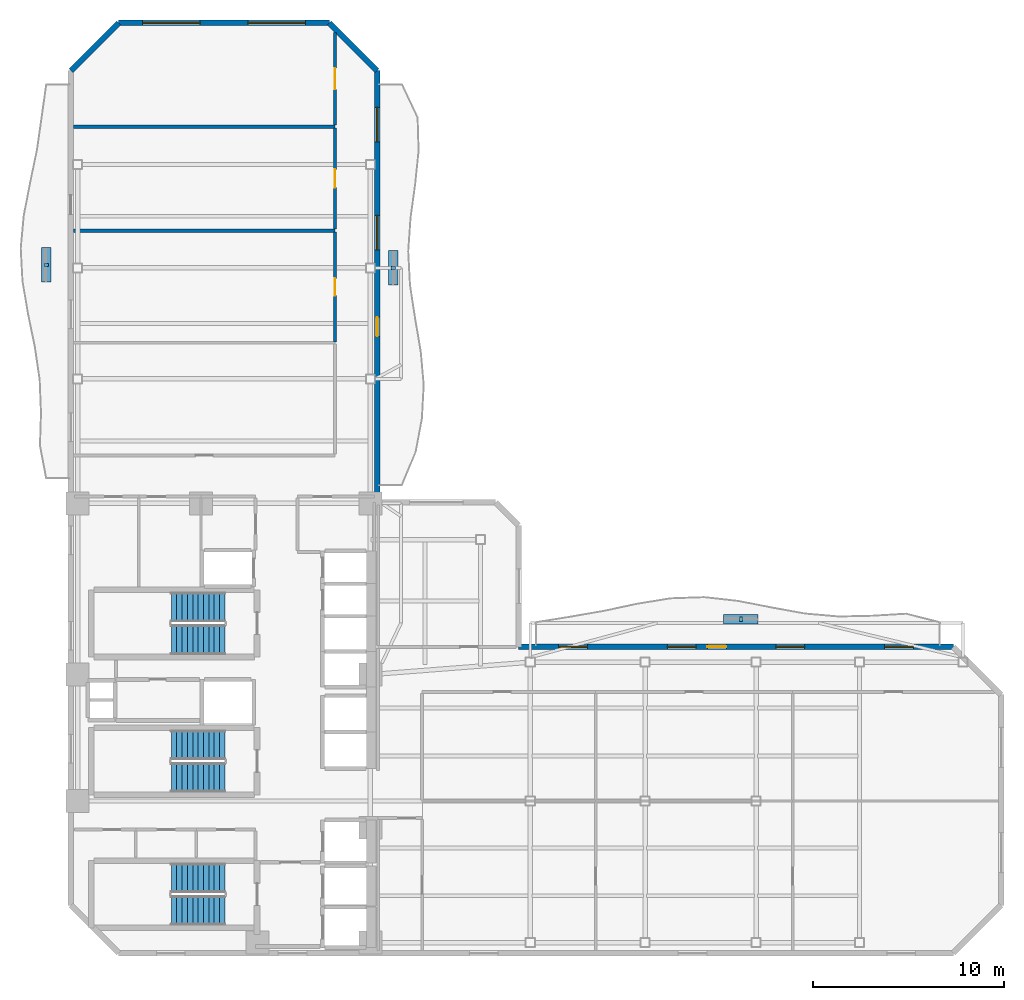
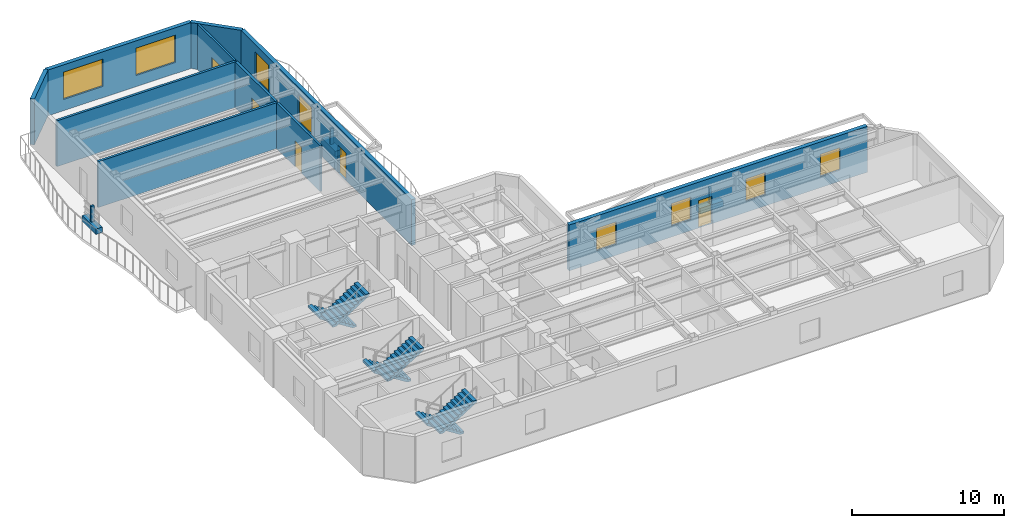
# One storey, part 6 of 9: 10 walls, 8 windows, 6 discrete accessories, 6 stair flights, 5 doors, 13 openings, 3 elements without a shape of their own.
"""IFC4 building model written with IfcOpenShell, lengths in metres."""

from ifc_helpers import new_model, si_unit, direction, frame, frame_2d, origin, origin_2d, place, context, subcontext, project, spatial, polyline, rectangle, outline, extrude, material, layer, layer_set, type_object, element, fill, aggregate, save


model = new_model("IFC4")

# Units and contexts
model_context = context("Model", 3, precision=1e-05, world=origin(), true_north=direction((0.0, 1.0)))
body_context = subcontext(model_context, "Body", "Model", "MODEL_VIEW")
ifc_project = project(units=[si_unit("LENGTHUNIT", "METRE"), si_unit("AREAUNIT", "SQUARE_METRE"), si_unit("VOLUMEUNIT", "CUBIC_METRE"), si_unit("PLANEANGLEUNIT", "RADIAN"), si_unit("MASSUNIT", "GRAM", prefix="KILO")], contexts=[model_context])

# Site, building, storey
site_placement = place(None, origin())
site = spatial("IfcSite", under=ifc_project, at=site_placement, CompositionType="ELEMENT")
building_placement = place(site_placement, origin())
building = spatial("IfcBuilding", under=site, at=building_placement, Name="Mawjaban Terraces University", CompositionType="ELEMENT")
storey_placement = place(building_placement, frame((0.0, 0.0, 154.10009765625)))
storey = spatial("IfcBuildingStorey", under=building, at=storey_placement, Name="L37", CompositionType="ELEMENT", Elevation=154.10009765625)

# Walls
ifc_material_1 = material(Name="Acoustic masonry blockwork", Category="masonry")
ifc_layer_1 = layer(ifc_material_1, 0.179931640625)
ifc_layer_set_1 = layer_set([ifc_layer_1], Name="Acoustic masonry blockwork")
wall_type_1 = type_object("IfcWallType", Name="AcousticStudioWall_180", PredefinedType="PARTITIONING", material=ifc_layer_set_1)
for number, where, z_axis, x_axis, name in (
    (1, (35.800048828125, 37.75, 0.0), (0.0, 0.0, 1.0), (-1.0, 0.0, 0.0), "L37 Quiet Reading Room 9 Partition 14"),
    (2, (35.800048828125, 43.179931640625, 0.0), (0.0, 0.0, 1.0), (-1.0, 0.0, 0.0), "L37 Media Workshop 10 Partition 15"),
):
    element("IfcWall", number, at=place(storey_placement, frame(where, z_axis=z_axis, x_axis=x_axis)), inside=storey, type_object=wall_type_1, Name=name, PredefinedType="PARTITIONING", context=body_context, shape_type="SweptSolid", body=[
        extrude(rectangle(XDim=13.655029296875, YDim=0.179931640625, at=frame_2d((6.82763671875, 0.0))), origin(), (0.0, 0.0, 1.0), 3.68994140625),
    ])

# Wall, opening, door
wall_1_placement = place(storey_placement, frame((35.800048828125, 43.094970703125, 0.0), z_axis=(0.0, 0.0, 1.0), x_axis=(0.0, -1.0, 0.0)))
wall_1 = element("IfcWall", 3, at=wall_1_placement, inside=storey, type_object=wall_type_1, Name="L37 Inner Terrace Gallery Corridor North Partition 36", PredefinedType="PARTITIONING", context=body_context, shape_type="SweptSolid", body=[
    extrude(rectangle(XDim=5.260009765625, YDim=0.179931640625, at=frame_2d((2.6298828125, 0.0))), origin(), (0.0, 0.0, 1.0), 3.68994140625),
])
opening_1_placement = place(wall_1_placement, frame((2.155029296875, 0.0, 0.0)))
opening_1 = element("IfcOpeningElement", 4, at=opening_1_placement, cuts=wall_1, Name="Opening ID-095", PredefinedType="OPENING", context=body_context, shape_type="SweptSolid", body=[
    extrude(rectangle(XDim=0.949951171875, YDim=2.10009765625, at=frame_2d((0.47509765625, 1.050048828125))), frame((0.0, 0.099853515625, 0.0), z_axis=(0.0, -1.0, 0.0), x_axis=(1.0, 0.0, 0.0)), (0.0, 0.0, 1.0), 0.199951171875),
])
ifc_material_2 = material(Name="Powder-coated steel frame and solid acoustic timber leaf", Category="steel")
door_type_1 = type_object("IfcDoorType", Name="StudioDoor_950x2100", OperationType="NOTDEFINED", PredefinedType="DOOR", material=ifc_material_2)
door_1_placement = place(opening_1_placement, origin())
door_1 = element("IfcDoor", 5, at=door_1_placement, inside=storey, type_object=door_type_1, Name="L37 Media Workshop 10 Door", OperationType="SINGLE_SWING_RIGHT", OverallHeight=2.10009765625, OverallWidth=0.949951171875, PredefinedType="DOOR", context=body_context, shape_type="SweptSolid", body=[
    extrude(rectangle(XDim=0.949951171875, YDim=2.10009765625, at=frame_2d((0.47509765625, 1.050048828125))), frame((0.0, 0.02490234375, 0.0), z_axis=(0.0, -1.0, 0.0), x_axis=(1.0, 0.0, 0.0)), (0.0, 0.0, 1.0), 0.050048828125),
])
fill(opening_1, door_1)

ifc_material_3 = material(Name="Fire-rated gypsum board on steel stud", Category="steel")
ifc_layer_2 = layer(ifc_material_3, 0.159912109375)
ifc_layer_set_2 = layer_set([ifc_layer_2], Name="Fire-rated gypsum board on steel stud")
wall_type_2 = type_object("IfcWallType", Name="CorridorPartition_160", PredefinedType="PARTITIONING", material=ifc_layer_set_2)
wall_2_placement = place(storey_placement, frame((35.800048828125, 37.6650390625, 0.0), z_axis=(0.0, 0.0, 1.0), x_axis=(0.0, -1.0, 0.0)))
wall_2 = element("IfcWall", 6, at=wall_2_placement, inside=storey, type_object=wall_type_2, Name="L37 Inner Terrace Gallery Corridor North Partition 35", PredefinedType="PARTITIONING", context=body_context, shape_type="SweptSolid", body=[
    extrude(rectangle(XDim=5.72705078125, YDim=0.159912109375, at=frame_2d((2.863525390625, 0.0))), origin(), (0.0, 0.0, 1.0), 3.68994140625),
])
opening_2_placement = place(wall_2_placement, frame((2.4130859375, 0.0, 0.0)))
opening_2 = element("IfcOpeningElement", 7, at=opening_2_placement, cuts=wall_2, Name="Opening ID-090", PredefinedType="OPENING", context=body_context, shape_type="SweptSolid", body=[
    extrude(rectangle(XDim=0.89990234375, YDim=2.10009765625, at=frame_2d((0.449951171875, 1.050048828125))), frame((0.0, 0.08984375, 0.0), z_axis=(0.0, -1.0, 0.0), x_axis=(1.0, 0.0, 0.0)), (0.0, 0.0, 1.0), 0.179931640625),
])
door_type_2 = type_object("IfcDoorType", Name="OfficeDoor_900x2100", OperationType="NOTDEFINED", PredefinedType="DOOR", material=ifc_material_2)
door_2_placement = place(opening_2_placement, origin())
door_2 = element("IfcDoor", 8, at=door_2_placement, inside=storey, type_object=door_type_2, Name="L37 Quiet Reading Room 9 Door", OperationType="SINGLE_SWING_LEFT", OverallHeight=2.10009765625, OverallWidth=0.89990234375, PredefinedType="DOOR", context=body_context, shape_type="SweptSolid", body=[
    extrude(rectangle(XDim=0.89990234375, YDim=2.10009765625, at=frame_2d((0.449951171875, 1.050048828125))), frame((0.0, 0.02490234375, 0.0), z_axis=(0.0, -1.0, 0.0), x_axis=(1.0, 0.0, 0.0)), (0.0, 0.0, 1.0), 0.050048828125),
])
fill(opening_2, door_2)

# Wall, openings, door, windows
ifc_material_4 = material(Name="Insulated terracotta rainscreen on concrete backup C40/50", Category="masonry")
ifc_layer_3 = layer(ifc_material_4, 0.300048828125)
ifc_layer_set_3 = layer_set([ifc_layer_3], Name="Insulated terracotta rainscreen on concrete backup C40/50")
wall_type_3 = type_object("IfcWallType", Name="ExtTerracottaWall_300", PredefinedType="SOLIDWALL", material=ifc_layer_set_3)
wall_3_placement = place(storey_placement, frame((68.10009765625, 16.0, 0.0), z_axis=(0.0, 0.0, 1.0), x_axis=(-1.0, 0.0, 0.0)))
wall_3 = element("IfcWall", 9, at=wall_3_placement, inside=storey, type_object=wall_type_3, Name="L37 Exterior Terracotta Wall 5", PredefinedType="SOLIDWALL", context=body_context, shape_type="SweptSolid", body=[
    extrude(rectangle(XDim=22.7060546875, YDim=0.300048828125, at=frame_2d((11.35302734375, 0.0))), origin(), (0.0, 0.0, 1.0), 3.68994140625),
])
opening_3_placement = place(wall_3_placement, frame((11.85302734375, 0.0, 0.0)))
opening_3 = element("IfcOpeningElement", 10, at=opening_3_placement, cuts=wall_3, Name="Opening BD-100", PredefinedType="OPENING", context=body_context, shape_type="SweptSolid", body=[
    extrude(rectangle(XDim=1.0, YDim=2.199951171875, at=frame_2d((0.5, 1.10009765625))), frame((0.0, 0.159912109375, 0.0), z_axis=(0.0, -1.0, 0.0), x_axis=(1.0, 0.0, 0.0)), (0.0, 0.0, 1.0), 0.320068359375),
])
opening_4_placement = place(wall_3_placement, frame((2.087890625, 0.0, 0.89990234375)))
opening_4 = element("IfcOpeningElement", 11, at=opening_4_placement, cuts=wall_3, Name="Opening W-06", PredefinedType="OPENING", context=body_context, shape_type="SweptSolid", body=[
    extrude(rectangle(XDim=1.5, YDim=1.800048828125, at=frame_2d((0.75, 0.89990234375))), frame((0.0, 0.159912109375, 0.0), z_axis=(0.0, -1.0, 0.0), x_axis=(1.0, 0.0, 0.0)), (0.0, 0.0, 1.0), 0.320068359375),
])
opening_5_placement = place(wall_3_placement, frame((7.764892578125, 0.0, 0.89990234375)))
opening_5 = element("IfcOpeningElement", 12, at=opening_5_placement, cuts=wall_3, Name="Opening W-06", PredefinedType="OPENING", context=body_context, shape_type="SweptSolid", body=[
    extrude(rectangle(XDim=1.5, YDim=1.800048828125, at=frame_2d((0.75, 0.89990234375))), frame((0.0, 0.159912109375, 0.0), z_axis=(0.0, -1.0, 0.0), x_axis=(1.0, 0.0, 0.0)), (0.0, 0.0, 1.0), 0.320068359375),
])
opening_6_placement = place(wall_3_placement, frame((13.44091796875, 0.0, 0.89990234375)))
opening_6 = element("IfcOpeningElement", 13, at=opening_6_placement, cuts=wall_3, Name="Opening W-06", PredefinedType="OPENING", context=body_context, shape_type="SweptSolid", body=[
    extrude(rectangle(XDim=1.5, YDim=1.800048828125, at=frame_2d((0.75, 0.89990234375))), frame((0.0, 0.159912109375, 0.0), z_axis=(0.0, -1.0, 0.0), x_axis=(1.0, 0.0, 0.0)), (0.0, 0.0, 1.0), 0.320068359375),
])
opening_7_placement = place(wall_3_placement, frame((19.117919921875, 0.0, 0.89990234375)))
opening_7 = element("IfcOpeningElement", 14, at=opening_7_placement, cuts=wall_3, Name="Opening W-06", PredefinedType="OPENING", context=body_context, shape_type="SweptSolid", body=[
    extrude(rectangle(XDim=1.5, YDim=1.800048828125, at=frame_2d((0.75, 0.89990234375))), frame((0.0, 0.159912109375, 0.0), z_axis=(0.0, -1.0, 0.0), x_axis=(1.0, 0.0, 0.0)), (0.0, 0.0, 1.0), 0.320068359375),
])
ifc_material_5 = material(Name="Thermally broken anodised aluminium and laminated safety glass", Category="aluminium")
door_type_3 = type_object("IfcDoorType", Name="BalconyGlazedDoor_1000x2200", OperationType="NOTDEFINED", PredefinedType="DOOR", material=ifc_material_5)
door_3_placement = place(opening_3_placement, origin())
door_3 = element("IfcDoor", 15, at=door_3_placement, inside=storey, type_object=door_type_3, Name="L37 Balcony Access Door inner_north", OperationType="SINGLE_SWING_RIGHT", OverallHeight=2.199951171875, OverallWidth=1.0, PredefinedType="DOOR", context=body_context, shape_type="SweptSolid", body=[
    extrude(rectangle(XDim=1.0, YDim=2.199951171875, at=frame_2d((0.5, 1.10009765625))), frame((0.0, 0.02490234375, 0.0), z_axis=(0.0, -1.0, 0.0), x_axis=(1.0, 0.0, 0.0)), (0.0, 0.0, 1.0), 0.050048828125),
])
fill(opening_3, door_3)
ifc_material_6 = material(Name="Low-E solar-control double glazing in thermally broken aluminium frame", Category="aluminium")
window_type_1 = type_object("IfcWindowType", Name="Win_1500x1800", PartitioningType="SINGLE_PANEL", PredefinedType="WINDOW", material=ifc_material_6)
window_1_placement = place(opening_4_placement, origin())
window_1 = element("IfcWindow", 16, at=window_1_placement, inside=storey, type_object=window_type_1, Name="L37 Facade Window 5.1", OverallHeight=1.800048828125, OverallWidth=1.5, PartitioningType="SINGLE_PANEL", PredefinedType="WINDOW", context=body_context, shape_type="SweptSolid", body=[
    extrude(rectangle(XDim=1.5, YDim=1.800048828125, at=frame_2d((0.75, 0.89990234375))), frame((0.0, 0.030029296875, 0.0), z_axis=(0.0, -1.0, 0.0), x_axis=(1.0, 0.0, 0.0)), (0.0, 0.0, 1.0), 0.06005859375),
])
fill(opening_4, window_1)
window_2_placement = place(opening_5_placement, origin())
window_2 = element("IfcWindow", 17, at=window_2_placement, inside=storey, type_object=window_type_1, Name="L37 Facade Window 5.2", OverallHeight=1.800048828125, OverallWidth=1.5, PartitioningType="SINGLE_PANEL", PredefinedType="WINDOW", context=body_context, shape_type="SweptSolid", body=[
    extrude(rectangle(XDim=1.5, YDim=1.800048828125, at=frame_2d((0.75, 0.89990234375))), frame((0.0, 0.030029296875, 0.0), z_axis=(0.0, -1.0, 0.0), x_axis=(1.0, 0.0, 0.0)), (0.0, 0.0, 1.0), 0.06005859375),
])
fill(opening_5, window_2)
window_3_placement = place(opening_6_placement, origin())
window_3 = element("IfcWindow", 18, at=window_3_placement, inside=storey, type_object=window_type_1, Name="L37 Facade Window 5.3", OverallHeight=1.800048828125, OverallWidth=1.5, PartitioningType="SINGLE_PANEL", PredefinedType="WINDOW", context=body_context, shape_type="SweptSolid", body=[
    extrude(rectangle(XDim=1.5, YDim=1.800048828125, at=frame_2d((0.75, 0.89990234375))), frame((0.0, 0.030029296875, 0.0), z_axis=(0.0, -1.0, 0.0), x_axis=(1.0, 0.0, 0.0)), (0.0, 0.0, 1.0), 0.06005859375),
])
fill(opening_6, window_3)
window_4_placement = place(opening_7_placement, origin())
window_4 = element("IfcWindow", 19, at=window_4_placement, inside=storey, type_object=window_type_1, Name="L37 Facade Window 5.4", OverallHeight=1.800048828125, OverallWidth=1.5, PartitioningType="SINGLE_PANEL", PredefinedType="WINDOW", context=body_context, shape_type="SweptSolid", body=[
    extrude(rectangle(XDim=1.5, YDim=1.800048828125, at=frame_2d((0.75, 0.89990234375))), frame((0.0, 0.030029296875, 0.0), z_axis=(0.0, -1.0, 0.0), x_axis=(1.0, 0.0, 0.0)), (0.0, 0.0, 1.0), 0.06005859375),
])
fill(opening_7, window_4)

wall_4_placement = place(storey_placement, frame((38.0, 23.550048828125, 0.0), z_axis=(0.0, 0.0, 1.0), x_axis=(0.0, 1.0, 0.0)))
wall_4 = element("IfcWall", 20, at=wall_4_placement, inside=storey, type_object=wall_type_3, Name="L37 Exterior Terracotta Wall 9", PredefinedType="SOLIDWALL", context=body_context, shape_type="SweptSolid", body=[
    extrude(rectangle(XDim=22.550048828125, YDim=0.300048828125, at=frame_2d((11.27490234375, 0.0))), origin(), (0.0, 0.0, 1.0), 3.68994140625),
])
opening_8_placement = place(wall_4_placement, frame((8.675048828125, 0.0, 0.0)))
opening_8 = element("IfcOpeningElement", 21, at=opening_8_placement, cuts=wall_4, Name="Opening BD-100", PredefinedType="OPENING", context=body_context, shape_type="SweptSolid", body=[
    extrude(rectangle(XDim=1.0, YDim=2.199951171875, at=frame_2d((0.5, 1.10009765625))), frame((0.0, 0.159912109375, 0.0), z_axis=(0.0, -1.0, 0.0), x_axis=(1.0, 0.0, 0.0)), (0.0, 0.0, 1.0), 0.320068359375),
])
opening_9_placement = place(wall_4_placement, frame((13.194091796875, 0.0, 0.89990234375)))
opening_9 = element("IfcOpeningElement", 22, at=opening_9_placement, cuts=wall_4, Name="Opening W-10", PredefinedType="OPENING", context=body_context, shape_type="SweptSolid", body=[
    extrude(rectangle(XDim=1.800048828125, YDim=2.199951171875, at=frame_2d((0.89990234375, 1.10009765625))), frame((0.0, 0.159912109375, 0.0), z_axis=(0.0, -1.0, 0.0), x_axis=(1.0, 0.0, 0.0)), (0.0, 0.0, 1.0), 0.320068359375),
])
opening_10_placement = place(wall_4_placement, frame((18.8310546875, 0.0, 0.89990234375)))
opening_10 = element("IfcOpeningElement", 23, at=opening_10_placement, cuts=wall_4, Name="Opening W-10", PredefinedType="OPENING", context=body_context, shape_type="SweptSolid", body=[
    extrude(rectangle(XDim=1.800048828125, YDim=2.199951171875, at=frame_2d((0.89990234375, 1.10009765625))), frame((0.0, 0.159912109375, 0.0), z_axis=(0.0, -1.0, 0.0), x_axis=(1.0, 0.0, 0.0)), (0.0, 0.0, 1.0), 0.320068359375),
])
door_4_placement = place(opening_8_placement, origin())
door_4 = element("IfcDoor", 24, at=door_4_placement, inside=storey, type_object=door_type_3, Name="L37 Balcony Access Door inner_east", OperationType="SINGLE_SWING_RIGHT", OverallHeight=2.199951171875, OverallWidth=1.0, PredefinedType="DOOR", context=body_context, shape_type="SweptSolid", body=[
    extrude(rectangle(XDim=1.0, YDim=2.199951171875, at=frame_2d((0.5, 1.10009765625))), frame((0.0, 0.02490234375, 0.0), z_axis=(0.0, -1.0, 0.0), x_axis=(1.0, 0.0, 0.0)), (0.0, 0.0, 1.0), 0.050048828125),
])
fill(opening_8, door_4)
window_type_2 = type_object("IfcWindowType", Name="Win_1800x2200", PartitioningType="SINGLE_PANEL", PredefinedType="WINDOW", material=ifc_material_6)
window_5_placement = place(opening_9_placement, origin())
window_5 = element("IfcWindow", 25, at=window_5_placement, inside=storey, type_object=window_type_2, Name="L37 Facade Window 9.3", OverallHeight=2.199951171875, OverallWidth=1.800048828125, PartitioningType="SINGLE_PANEL", PredefinedType="WINDOW", context=body_context, shape_type="SweptSolid", body=[
    extrude(rectangle(XDim=1.800048828125, YDim=2.199951171875, at=frame_2d((0.89990234375, 1.10009765625))), frame((0.0, 0.030029296875, 0.0), z_axis=(0.0, -1.0, 0.0), x_axis=(1.0, 0.0, 0.0)), (0.0, 0.0, 1.0), 0.06005859375),
])
fill(opening_9, window_5)
window_6_placement = place(opening_10_placement, origin())
window_6 = element("IfcWindow", 26, at=window_6_placement, inside=storey, type_object=window_type_2, Name="L37 Facade Window 9.4", OverallHeight=2.199951171875, OverallWidth=1.800048828125, PartitioningType="SINGLE_PANEL", PredefinedType="WINDOW", context=body_context, shape_type="SweptSolid", body=[
    extrude(rectangle(XDim=1.800048828125, YDim=2.199951171875, at=frame_2d((0.89990234375, 1.10009765625))), frame((0.0, 0.030029296875, 0.0), z_axis=(0.0, -1.0, 0.0), x_axis=(1.0, 0.0, 0.0)), (0.0, 0.0, 1.0), 0.06005859375),
])
fill(opening_10, window_6)

# Wall
wall_5_placement = place(storey_placement, frame((38.0, 46.10009765625, 0.0), z_axis=(0.0, 0.0, 1.0), x_axis=(-0.707106781187, 0.707106781187, 0.0)))
element("IfcWall", 27, at=wall_5_placement, inside=storey, type_object=wall_type_3, Name="L37 Exterior Terracotta Wall 10", PredefinedType="SOLIDWALL", context=body_context, shape_type="SweptSolid", body=[
    extrude(rectangle(XDim=3.53564453125, YDim=0.300048828125, at=frame_2d((1.767822265625, 0.0))), origin(), (0.0, 0.0, 1.0), 3.68994140625),
])

# Wall, openings, windows
wall_6_placement = place(storey_placement, frame((35.5, 48.60009765625, 0.0), z_axis=(0.0, 0.0, 1.0), x_axis=(-1.0, 0.0, 0.0)))
wall_6 = element("IfcWall", 28, at=wall_6_placement, inside=storey, type_object=wall_type_3, Name="L37 Exterior Terracotta Wall 11", PredefinedType="SOLIDWALL", context=body_context, shape_type="SweptSolid", body=[
    extrude(rectangle(XDim=11.0, YDim=0.300048828125, at=frame_2d((5.5, 0.0))), origin(), (0.0, 0.0, 1.0), 3.68994140625),
])
opening_11_placement = place(wall_6_placement, frame((1.25, 0.0, 0.89990234375)))
opening_11 = element("IfcOpeningElement", 29, at=opening_11_placement, cuts=wall_6, Name="Opening W-12", PredefinedType="OPENING", context=body_context, shape_type="SweptSolid", body=[
    extrude(rectangle(XDim=3.0, YDim=2.199951171875, at=frame_2d((1.5, 1.10009765625))), frame((0.0, 0.159912109375, 0.0), z_axis=(0.0, -1.0, 0.0), x_axis=(1.0, 0.0, 0.0)), (0.0, 0.0, 1.0), 0.320068359375),
])
opening_12_placement = place(wall_6_placement, frame((6.75, 0.0, 0.89990234375)))
opening_12 = element("IfcOpeningElement", 30, at=opening_12_placement, cuts=wall_6, Name="Opening W-12", PredefinedType="OPENING", context=body_context, shape_type="SweptSolid", body=[
    extrude(rectangle(XDim=3.0, YDim=2.199951171875, at=frame_2d((1.5, 1.10009765625))), frame((0.0, 0.159912109375, 0.0), z_axis=(0.0, -1.0, 0.0), x_axis=(1.0, 0.0, 0.0)), (0.0, 0.0, 1.0), 0.320068359375),
])
window_type_3 = type_object("IfcWindowType", Name="Win_3000x2200", PartitioningType="SINGLE_PANEL", PredefinedType="WINDOW", material=ifc_material_6)
window_7_placement = place(opening_11_placement, origin())
window_7 = element("IfcWindow", 31, at=window_7_placement, inside=storey, type_object=window_type_3, Name="L37 Facade Window 11.1", OverallHeight=2.199951171875, OverallWidth=3.0, PartitioningType="SINGLE_PANEL", PredefinedType="WINDOW", context=body_context, shape_type="SweptSolid", body=[
    extrude(rectangle(XDim=3.0, YDim=2.199951171875, at=frame_2d((1.5, 1.10009765625))), frame((0.0, 0.030029296875, 0.0), z_axis=(0.0, -1.0, 0.0), x_axis=(1.0, 0.0, 0.0)), (0.0, 0.0, 1.0), 0.06005859375),
])
fill(opening_11, window_7)
window_8_placement = place(opening_12_placement, origin())
window_8 = element("IfcWindow", 32, at=window_8_placement, inside=storey, type_object=window_type_3, Name="L37 Facade Window 11.2", OverallHeight=2.199951171875, OverallWidth=3.0, PartitioningType="SINGLE_PANEL", PredefinedType="WINDOW", context=body_context, shape_type="SweptSolid", body=[
    extrude(rectangle(XDim=3.0, YDim=2.199951171875, at=frame_2d((1.5, 1.10009765625))), frame((0.0, 0.030029296875, 0.0), z_axis=(0.0, -1.0, 0.0), x_axis=(1.0, 0.0, 0.0)), (0.0, 0.0, 1.0), 0.06005859375),
])
fill(opening_12, window_8)

# Wall
wall_7_placement = place(storey_placement, frame((24.5, 48.60009765625, 0.0), z_axis=(0.0, 0.0, 1.0), x_axis=(-0.707106781187, -0.707106781187, 0.0)))
element("IfcWall", 33, at=wall_7_placement, inside=storey, type_object=wall_type_3, Name="L37 Exterior Terracotta Wall 12", PredefinedType="SOLIDWALL", context=body_context, shape_type="SweptSolid", body=[
    extrude(rectangle(XDim=3.53564453125, YDim=0.300048828125, at=frame_2d((1.767822265625, 0.0))), origin(), (0.0, 0.0, 1.0), 3.68994140625),
])

# Wall, opening, door
ifc_material_7 = material(Name="Moisture-resistant gypsum board on steel stud", Category="steel")
ifc_layer_4 = layer(ifc_material_7, 0.14501953125)
ifc_layer_set_4 = layer_set([ifc_layer_4], Name="Moisture-resistant gypsum board on steel stud")
wall_type_4 = type_object("IfcWallType", Name="LabPartition_145", PredefinedType="PARTITIONING", material=ifc_layer_set_4)
wall_8_placement = place(storey_placement, frame((35.800048828125, 48.094970703125, 0.0), z_axis=(0.0, 0.0, 1.0), x_axis=(0.0, -1.0, 0.0)))
wall_8 = element("IfcWall", 34, at=wall_8_placement, inside=storey, type_object=wall_type_4, Name="L37 Inner Terrace Gallery Corridor North Partition 37", PredefinedType="PARTITIONING", context=body_context, shape_type="SweptSolid", body=[
    extrude(rectangle(XDim=4.830078125, YDim=0.14501953125, at=frame_2d((2.4150390625, 0.0))), origin(), (0.0, 0.0, 1.0), 3.68994140625),
])
opening_13_placement = place(wall_8_placement, frame((1.864990234375, 0.0, 0.0)))
opening_13 = element("IfcOpeningElement", 35, at=opening_13_placement, cuts=wall_8, Name="Opening ID-110", PredefinedType="OPENING", context=body_context, shape_type="SweptSolid", body=[
    extrude(rectangle(XDim=1.10009765625, YDim=2.14990234375, at=frame_2d((0.550048828125, 1.074951171875))), frame((0.0, 0.08251953125, 0.0), z_axis=(0.0, -1.0, 0.0), x_axis=(1.0, 0.0, 0.0)), (0.0, 0.0, 1.0), 0.1650390625),
])
door_type_4 = type_object("IfcDoorType", Name="LabDoor_1100x2150", OperationType="NOTDEFINED", PredefinedType="DOOR", material=ifc_material_2)
door_5_placement = place(opening_13_placement, origin())
door_5 = element("IfcDoor", 36, at=door_5_placement, inside=storey, type_object=door_type_4, Name="L37 Teaching Laboratory 11 Door", OperationType="SINGLE_SWING_LEFT", OverallHeight=2.14990234375, OverallWidth=1.10009765625, PredefinedType="DOOR", context=body_context, shape_type="SweptSolid", body=[
    extrude(rectangle(XDim=1.10009765625, YDim=2.14990234375, at=frame_2d((0.550048828125, 1.074951171875))), frame((0.0, 0.02490234375, 0.0), z_axis=(0.0, -1.0, 0.0), x_axis=(1.0, 0.0, 0.0)), (0.0, 0.0, 1.0), 0.050048828125),
])
fill(opening_13, door_5)

# Stair, stair flights
ifc_material_8 = material(Name="Concrete C40/50", Category="concrete")
stair_type = type_object("IfcStairType", Name="Stair_Core1550_H39", PredefinedType="HALF_TURN_STAIR", material=ifc_material_8)
stair_1_placement = place(storey_placement, origin())
stair_1 = element("IfcStair", 37, at=stair_1_placement, inside=storey, type_object=stair_type, Name="L37 Core Exit Stair 1", PredefinedType="HALF_TURN_STAIR")
stair_flight_type = type_object("IfcStairFlightType", Name="Flight_Core1550_H39", PredefinedType="STRAIGHT", material=ifc_material_8)
stair_flight_1_placement = place(storey_placement, frame((30.050048828125, 3.925048828125, 0.0), z_axis=(0.0, 0.0, 1.0), x_axis=(-1.0, 0.0, 0.0)))
stair_flight_1 = element("IfcStairFlight", 38, at=stair_flight_1_placement, type_object=stair_flight_type, Name="ST-1 flight 1", NumberOfRisers=11, NumberOfTreads=10, PredefinedType="STRAIGHT", RiserHeight=0.177272727, TreadLength=0.28, context=body_context, shape_type="SweptSolid", body=[
    extrude(outline(polyline([(0.0, 0.0), (0.0, 0.17724609375), (0.280029296875, 0.17724609375), (0.280029296875, 0.3544921875), (0.56005859375, 0.3544921875), (0.56005859375, 0.53173828125), (0.840087890625, 0.53173828125), (0.840087890625, 0.708984375), (1.1201171875, 0.708984375), (1.1201171875, 0.886474609375), (1.39990234375, 0.886474609375), (1.39990234375, 1.063720703125), (1.679931640625, 1.063720703125), (1.679931640625, 1.240966796875), (1.9599609375, 1.240966796875), (1.9599609375, 1.418212890625), (2.239990234375, 1.418212890625), (2.239990234375, 1.595458984375), (2.52001953125, 1.595458984375), (2.52001953125, 1.772705078125), (2.800048828125, 1.772705078125), (2.800048828125, 1.949951171875), (2.800048828125, 1.59521484375), (0.2802734375, 0.0), (0.0, 0.0)])), frame((0.0, 0.77490234375, 0.0), z_axis=(0.0, -1.0, 0.0), x_axis=(1.0, 0.0, 0.0)), (0.0, 0.0, 1.0), 1.550048828125),
])
stair_flight_2_placement = place(storey_placement, frame((27.25, 2.22509765625, 1.949951171875), z_axis=(0.0, 0.0, 1.0), x_axis=(1.0, 0.0, 0.0)))
stair_flight_2 = element("IfcStairFlight", 39, at=stair_flight_2_placement, type_object=stair_flight_type, Name="ST-1 flight 2", NumberOfRisers=11, NumberOfTreads=10, PredefinedType="STRAIGHT", RiserHeight=0.177272727, TreadLength=0.28, context=body_context, shape_type="SweptSolid", body=[
    extrude(outline(polyline([(0.0, 0.0), (0.0, 0.17724609375), (0.280029296875, 0.17724609375), (0.280029296875, 0.3544921875), (0.56005859375, 0.3544921875), (0.56005859375, 0.53173828125), (0.840087890625, 0.53173828125), (0.840087890625, 0.708984375), (1.1201171875, 0.708984375), (1.1201171875, 0.886474609375), (1.39990234375, 0.886474609375), (1.39990234375, 1.063720703125), (1.679931640625, 1.063720703125), (1.679931640625, 1.240966796875), (1.9599609375, 1.240966796875), (1.9599609375, 1.418212890625), (2.239990234375, 1.418212890625), (2.239990234375, 1.595458984375), (2.52001953125, 1.595458984375), (2.52001953125, 1.772705078125), (2.800048828125, 1.772705078125), (2.800048828125, 1.949951171875), (2.800048828125, 1.59521484375), (0.2802734375, 0.0), (0.0, 0.0)])), frame((0.0, 0.77490234375, 0.0), z_axis=(0.0, -1.0, 0.0), x_axis=(1.0, 0.0, 0.0)), (0.0, 0.0, 1.0), 1.550048828125),
])
aggregate(stair_1, [stair_flight_1, stair_flight_2])

stair_2_placement = place(storey_placement, origin())
stair_2 = element("IfcStair", 40, at=stair_2_placement, inside=storey, type_object=stair_type, Name="L37 Core Exit Stair 2", PredefinedType="HALF_TURN_STAIR")
stair_flight_3_placement = place(storey_placement, frame((30.050048828125, 18.074951171875, 0.0), z_axis=(0.0, 0.0, 1.0), x_axis=(-1.0, 0.0, 0.0)))
stair_flight_3 = element("IfcStairFlight", 41, at=stair_flight_3_placement, type_object=stair_flight_type, Name="ST-2 flight 1", NumberOfRisers=11, NumberOfTreads=10, PredefinedType="STRAIGHT", RiserHeight=0.177272727, TreadLength=0.28, context=body_context, shape_type="SweptSolid", body=[
    extrude(outline(polyline([(0.0, 0.0), (0.0, 0.17724609375), (0.280029296875, 0.17724609375), (0.280029296875, 0.3544921875), (0.56005859375, 0.3544921875), (0.56005859375, 0.53173828125), (0.840087890625, 0.53173828125), (0.840087890625, 0.708984375), (1.1201171875, 0.708984375), (1.1201171875, 0.886474609375), (1.39990234375, 0.886474609375), (1.39990234375, 1.063720703125), (1.679931640625, 1.063720703125), (1.679931640625, 1.240966796875), (1.9599609375, 1.240966796875), (1.9599609375, 1.418212890625), (2.239990234375, 1.418212890625), (2.239990234375, 1.595458984375), (2.52001953125, 1.595458984375), (2.52001953125, 1.772705078125), (2.800048828125, 1.772705078125), (2.800048828125, 1.949951171875), (2.800048828125, 1.59521484375), (0.2802734375, 0.0), (0.0, 0.0)])), frame((0.0, 0.77490234375, 0.0), z_axis=(0.0, -1.0, 0.0), x_axis=(1.0, 0.0, 0.0)), (0.0, 0.0, 1.0), 1.550048828125),
])
stair_flight_4_placement = place(storey_placement, frame((27.25, 16.375, 1.949951171875), z_axis=(0.0, 0.0, 1.0), x_axis=(1.0, 0.0, 0.0)))
stair_flight_4 = element("IfcStairFlight", 42, at=stair_flight_4_placement, type_object=stair_flight_type, Name="ST-2 flight 2", NumberOfRisers=11, NumberOfTreads=10, PredefinedType="STRAIGHT", RiserHeight=0.177272727, TreadLength=0.28, context=body_context, shape_type="SweptSolid", body=[
    extrude(outline(polyline([(0.0, 0.0), (0.0, 0.17724609375), (0.280029296875, 0.17724609375), (0.280029296875, 0.3544921875), (0.56005859375, 0.3544921875), (0.56005859375, 0.53173828125), (0.840087890625, 0.53173828125), (0.840087890625, 0.708984375), (1.1201171875, 0.708984375), (1.1201171875, 0.886474609375), (1.39990234375, 0.886474609375), (1.39990234375, 1.063720703125), (1.679931640625, 1.063720703125), (1.679931640625, 1.240966796875), (1.9599609375, 1.240966796875), (1.9599609375, 1.418212890625), (2.239990234375, 1.418212890625), (2.239990234375, 1.595458984375), (2.52001953125, 1.595458984375), (2.52001953125, 1.772705078125), (2.800048828125, 1.772705078125), (2.800048828125, 1.949951171875), (2.800048828125, 1.59521484375), (0.2802734375, 0.0), (0.0, 0.0)])), frame((0.0, 0.77490234375, 0.0), z_axis=(0.0, -1.0, 0.0), x_axis=(1.0, 0.0, 0.0)), (0.0, 0.0, 1.0), 1.550048828125),
])
aggregate(stair_2, [stair_flight_3, stair_flight_4])

stair_3_placement = place(storey_placement, origin())
stair_3 = element("IfcStair", 43, at=stair_3_placement, inside=storey, type_object=stair_type, Name="L37 Core Exit Stair 3", PredefinedType="HALF_TURN_STAIR")
stair_flight_5_placement = place(storey_placement, frame((30.050048828125, 10.875, 0.0), z_axis=(0.0, 0.0, 1.0), x_axis=(-1.0, 0.0, 0.0)))
stair_flight_5 = element("IfcStairFlight", 44, at=stair_flight_5_placement, type_object=stair_flight_type, Name="ST-3 flight 1", NumberOfRisers=11, NumberOfTreads=10, PredefinedType="STRAIGHT", RiserHeight=0.177272727, TreadLength=0.28, context=body_context, shape_type="SweptSolid", body=[
    extrude(outline(polyline([(0.0, 0.0), (0.0, 0.17724609375), (0.280029296875, 0.17724609375), (0.280029296875, 0.3544921875), (0.56005859375, 0.3544921875), (0.56005859375, 0.53173828125), (0.840087890625, 0.53173828125), (0.840087890625, 0.708984375), (1.1201171875, 0.708984375), (1.1201171875, 0.886474609375), (1.39990234375, 0.886474609375), (1.39990234375, 1.063720703125), (1.679931640625, 1.063720703125), (1.679931640625, 1.240966796875), (1.9599609375, 1.240966796875), (1.9599609375, 1.418212890625), (2.239990234375, 1.418212890625), (2.239990234375, 1.595458984375), (2.52001953125, 1.595458984375), (2.52001953125, 1.772705078125), (2.800048828125, 1.772705078125), (2.800048828125, 1.949951171875), (2.800048828125, 1.59521484375), (0.2802734375, 0.0), (0.0, 0.0)])), frame((0.0, 0.77490234375, 0.0), z_axis=(0.0, -1.0, 0.0), x_axis=(1.0, 0.0, 0.0)), (0.0, 0.0, 1.0), 1.550048828125),
])
stair_flight_6_placement = place(storey_placement, frame((27.25, 9.175048828125, 1.949951171875), z_axis=(0.0, 0.0, 1.0), x_axis=(1.0, 0.0, 0.0)))
stair_flight_6 = element("IfcStairFlight", 45, at=stair_flight_6_placement, type_object=stair_flight_type, Name="ST-3 flight 2", NumberOfRisers=11, NumberOfTreads=10, PredefinedType="STRAIGHT", RiserHeight=0.177272727, TreadLength=0.28, context=body_context, shape_type="SweptSolid", body=[
    extrude(outline(polyline([(0.0, 0.0), (0.0, 0.17724609375), (0.280029296875, 0.17724609375), (0.280029296875, 0.3544921875), (0.56005859375, 0.3544921875), (0.56005859375, 0.53173828125), (0.840087890625, 0.53173828125), (0.840087890625, 0.708984375), (1.1201171875, 0.708984375), (1.1201171875, 0.886474609375), (1.39990234375, 0.886474609375), (1.39990234375, 1.063720703125), (1.679931640625, 1.063720703125), (1.679931640625, 1.240966796875), (1.9599609375, 1.240966796875), (1.9599609375, 1.418212890625), (2.239990234375, 1.418212890625), (2.239990234375, 1.595458984375), (2.52001953125, 1.595458984375), (2.52001953125, 1.772705078125), (2.800048828125, 1.772705078125), (2.800048828125, 1.949951171875), (2.800048828125, 1.59521484375), (0.2802734375, 0.0), (0.0, 0.0)])), frame((0.0, 0.77490234375, 0.0), z_axis=(0.0, -1.0, 0.0), x_axis=(1.0, 0.0, 0.0)), (0.0, 0.0, 1.0), 1.550048828125),
])
aggregate(stair_3, [stair_flight_5, stair_flight_6])

# Discrete accessories
ifc_material_9 = material(Name="Stainless steel 316L", Category="steel")
discrete_accessory_type_1 = type_object("IfcDiscreteAccessoryType", Name="FacadeScreenBracket_Steel", PredefinedType="BRACKET", material=ifc_material_9)
for number, where, z_axis, x_axis, name in (
    (46, (20.7109375, 35.958984375, 0.419921875), (0.0, 0.0, 1.0), (0.0, 1.0, 0.0), "L37 Balcony Screen Support Bracket west"),
    (47, (57.008056640625, 17.44091796875, 0.419921875), (0.0, 0.0, 1.0), (1.0, 0.0, 0.0), "L37 Balcony Screen Support Bracket inner_north"),
    (48, (38.8349609375, 35.798095703125, 0.419921875), (0.0, 0.0, 1.0), (0.0, 1.0, 0.0), "L37 Balcony Screen Support Bracket inner_east"),
):
    element("IfcDiscreteAccessory", number, at=place(storey_placement, frame(where, z_axis=z_axis, x_axis=x_axis)), inside=storey, type_object=discrete_accessory_type_1, Name=name, PredefinedType="BRACKET", context=body_context, shape_type="SweptSolid", body=[
        extrude(rectangle(XDim=0.159912109375, YDim=0.239990234375, at=origin_2d()), origin(), (0.0, 0.0, 1.0), 1.300048828125),
    ])
ifc_material_10 = material(Name="Precast architectural terracotta planter with engineered planting soil", Category="masonry")
discrete_accessory_type_2 = type_object("IfcDiscreteAccessoryType", Name="IrrigatedPlanterTrough_450", PredefinedType="USERDEFINED", material=ifc_material_10)
for number, where, z_axis, x_axis, name in (
    (49, (20.7109375, 35.958984375, -0.0048828125), (0.0, 0.0, 1.0), (0.0, 1.0, 0.0), "L37 Balcony Irrigated Planter west"),
    (50, (57.008056640625, 17.44091796875, -0.0048828125), (0.0, 0.0, 1.0), (1.0, 0.0, 0.0), "L37 Balcony Irrigated Planter inner_north"),
    (51, (38.8349609375, 35.798095703125, -0.0048828125), (0.0, 0.0, 1.0), (0.0, 1.0, 0.0), "L37 Balcony Irrigated Planter inner_east"),
):
    element("IfcDiscreteAccessory", number, at=place(storey_placement, frame(where, z_axis=z_axis, x_axis=x_axis)), inside=storey, type_object=discrete_accessory_type_2, Name=name, ObjectType="PLANTER", PredefinedType="USERDEFINED", context=body_context, shape_type="SweptSolid", body=[
        extrude(rectangle(XDim=1.800048828125, YDim=0.5, at=origin_2d()), origin(), (0.0, 0.0, 1.0), 0.449951171875),
    ])

save(model, "model.ifc")
